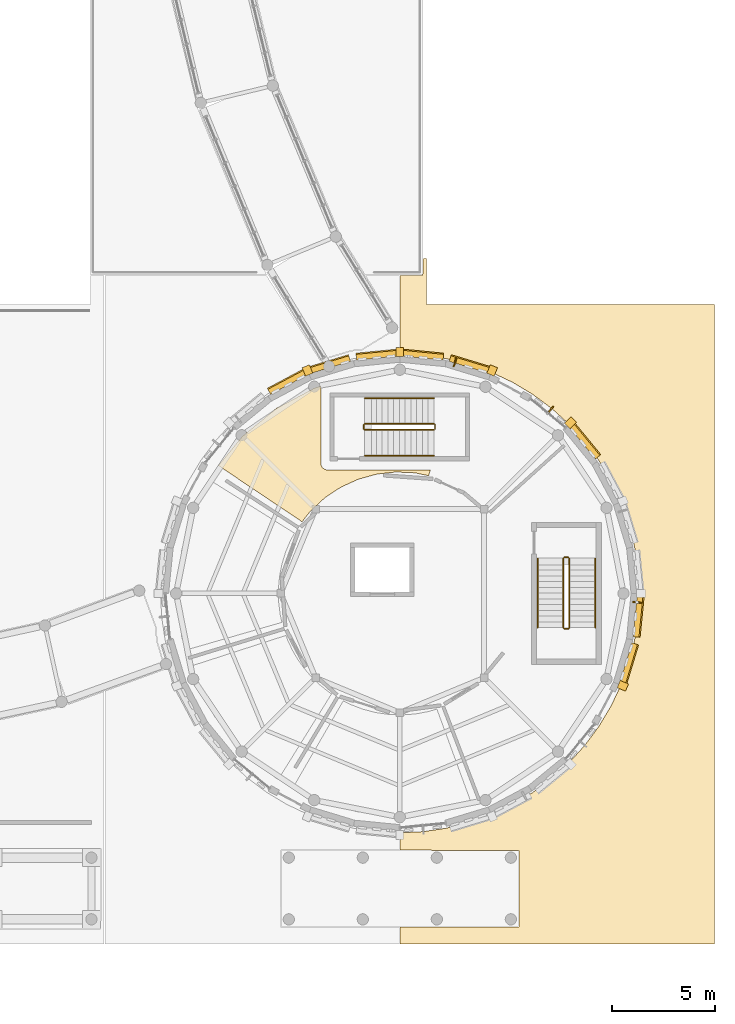
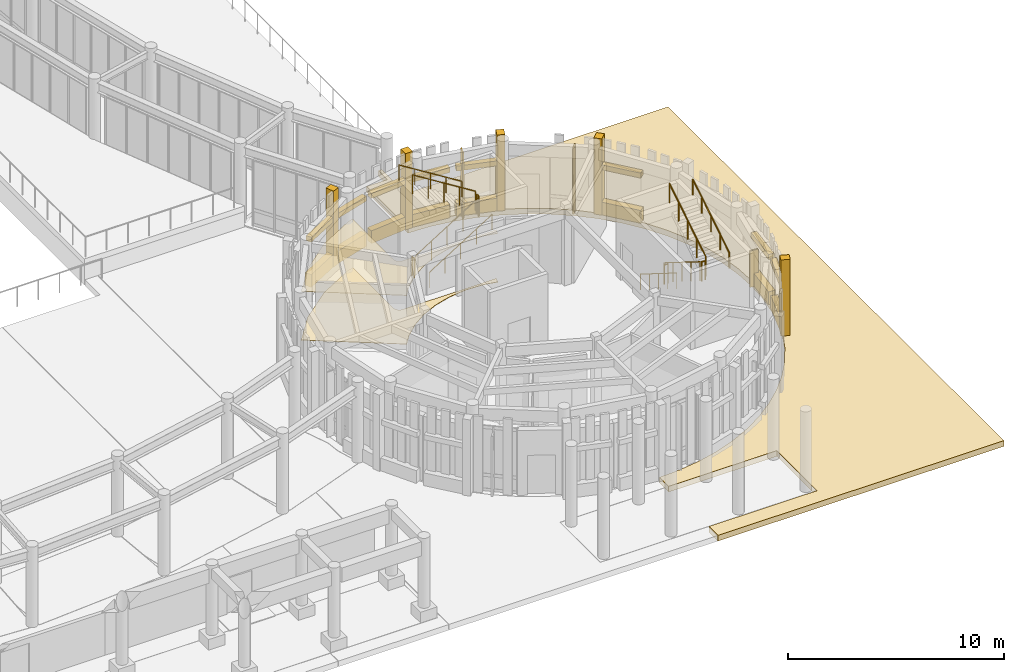
# One storey, part 88 of 94: 24 coverings, 12 railings, 3 shading devices.
"""IFC4 building model written with IfcOpenShell, lengths in metres."""

from ifc_helpers import new_model, si_unit, direction, frame, origin, origin_2d, place, context, subcontext, project, spatial, polyline, rectangle, circle, outline, extrude, material, layer, layer_set, type_object, element, save


model = new_model("IFC4")

# Units and contexts
model_context = context("Model", 3, precision=1e-05, world=origin(), true_north=direction((0.0, 1.0)))
body_context = subcontext(model_context, "Body", "Model", "MODEL_VIEW")
ifc_project = project(units=[si_unit("LENGTHUNIT", "METRE"), si_unit("AREAUNIT", "SQUARE_METRE"), si_unit("VOLUMEUNIT", "CUBIC_METRE"), si_unit("PLANEANGLEUNIT", "RADIAN"), si_unit("MASSUNIT", "GRAM", prefix="KILO")], contexts=[model_context])

# Site, building, storey
site_placement = place(None, origin())
site = spatial("IfcSite", under=ifc_project, at=site_placement, CompositionType="ELEMENT")
building_placement = place(site_placement, origin())
building = spatial("IfcBuilding", under=site, at=building_placement, Name="Aldenvaro Health Centre", CompositionType="ELEMENT")
storey_placement = place(building_placement, origin())
storey = spatial("IfcBuildingStorey", under=building, at=storey_placement, Name="L00", CompositionType="ELEMENT", Elevation=0.0)

# Coverings
ifc_material_1 = material(Name="Hygienic Sealed Gypsum Ceiling")
ifc_layer_1 = layer(ifc_material_1, 0.02490234375, Name="Hygienic Sealed Gypsum Ceiling")
ifc_layer_set_1 = layer_set([ifc_layer_1], Name="Hygienic Sealed Gypsum Ceiling")
covering_type_1 = type_object("IfcCoveringType", Name="COV-CLG-GYP25", PredefinedType="CEILING", material=ifc_layer_set_1)
covering_1_placement = place(storey_placement, frame((0.0, 0.0, 2.75)))
element("IfcCovering", 1, at=covering_1_placement, inside=storey, type_object=covering_type_1, Name="D6-L00-R01 Suspended Ceiling", PredefinedType="CEILING", context=body_context, shape_type="SweptSolid", body=[
    extrude(outline(polyline([(155.2470703125, 24.362060546875), (155.22802734375, 24.364990234375), (155.208984375, 24.366943359375), (154.318115234375, 24.406005859375), (154.299072265625, 24.406982421875), (154.280029296875, 24.405029296875), (153.39404296875, 24.304931640625), (153.375, 24.302001953125), (153.35595703125, 24.298095703125), (152.4970703125, 24.05908203125), (152.47900390625, 24.053955078125), (152.4609375, 24.0458984375), (151.64892578125, 23.676025390625), (151.633056640625, 23.66796875), (151.615966796875, 23.657958984375), (150.873046875, 23.1650390625), (150.85693359375, 23.154052734375), (150.843017578125, 23.14208984375), (150.18603515625, 22.5380859375), (150.172119140625, 22.52490234375), (150.159912109375, 22.510986328125), (149.743896484375, 21.985107421875), (145.676025390625, 24.718994140625), (146.85009765625, 26.14990234375), (148.489990234375, 27.49609375), (150.360107421875, 28.4951171875), (150.659912109375, 28.5859375), (150.659912109375, 24.830078125), (150.659912109375, 24.818115234375), (150.660888671875, 24.81005859375), (150.6630859375, 24.787109375), (150.6640625, 24.779052734375), (150.6689453125, 24.756103515625), (150.6708984375, 24.748046875), (150.677001953125, 24.72607421875), (150.679931640625, 24.718994140625), (150.68896484375, 24.697021484375), (150.69189453125, 24.68994140625), (150.7041015625, 24.6689453125), (150.7080078125, 24.662109375), (150.720947265625, 24.64306640625), (150.72509765625, 24.635986328125), (150.739990234375, 24.617919921875), (150.74609375, 24.612060546875), (150.761962890625, 24.595947265625), (150.76806640625, 24.590087890625), (150.785888671875, 24.574951171875), (150.79296875, 24.571044921875), (150.81201171875, 24.55810546875), (150.819091796875, 24.553955078125), (150.840087890625, 24.5419921875), (150.846923828125, 24.5390625), (150.868896484375, 24.530029296875), (150.8759765625, 24.527099609375), (150.89794921875, 24.52099609375), (150.906005859375, 24.51904296875), (150.928955078125, 24.513916015625), (150.93701171875, 24.512939453125), (150.9599609375, 24.510986328125), (150.968017578125, 24.510009765625), (150.97998046875, 24.510009765625), (155.985107421875, 24.510009765625), (155.903076171875, 24.22705078125), (155.2470703125, 24.362060546875)])), origin(), (0.0, 0.0, 1.0), 0.02490234375),
])
ifc_material_2 = material(Name="Honed Sonoran Buff Limestone", Category="masonry")
ifc_layer_2 = layer(ifc_material_2, 0.280029296875, Name="Honed Sonoran Buff Limestone", Category="masonry")
ifc_layer_set_2 = layer_set([ifc_layer_2], Name="Honed Sonoran Buff Limestone")
covering_type_2 = type_object("IfcCoveringType", Name="COV-CRN-STN", PredefinedType="CLADDING", material=ifc_layer_set_2)
covering_2_placement = place(storey_placement, frame((166.114013671875, 17.35595703125, 0.0), z_axis=(0.0, 0.0, 1.0), x_axis=(-0.097997250052, -0.995186685493, 0.0)))
element("IfcCovering", 2, at=covering_2_placement, inside=storey, type_object=covering_type_2, Name="D6 L00 Rusticated Limestone Plinth 1.1", PredefinedType="CLADDING", context=body_context, shape_type="SweptSolid", body=[
    extrude(rectangle(XDim=1.955078125, YDim=0.340087890625, at=origin_2d()), origin(), (0.0, 0.0, 1.0), 0.719970703125),
])
covering_3_placement = place(storey_placement, frame((166.083984375, 17.35888671875, 2.5498046875), z_axis=(0.0, 0.0, 1.0), x_axis=(-0.097997250052, -0.995186685493, 0.0)))
element("IfcCovering", 3, at=covering_3_placement, inside=storey, type_object=covering_type_2, Name="D6 L00 Rusticated Limestone Plinth 1.2", PredefinedType="CLADDING", context=body_context, shape_type="SweptSolid", body=[
    extrude(rectangle(XDim=1.955078125, YDim=0.280029296875, at=origin_2d()), origin(), (0.0, 0.0, 1.0), 0.280029296875),
])
covering_4_placement = place(storey_placement, frame((165.6669921875, 15.112060546875, 0.0), z_axis=(0.0, 0.0, 1.0), x_axis=(-0.290342622208, -0.956922756407, 0.0)))
element("IfcCovering", 4, at=covering_4_placement, inside=storey, type_object=covering_type_2, Name="D6 L00 Rusticated Limestone Plinth 2.1", PredefinedType="CLADDING", context=body_context, shape_type="SweptSolid", body=[
    extrude(rectangle(XDim=1.955078125, YDim=0.340087890625, at=origin_2d()), origin(), (0.0, 0.0, 1.0), 0.719970703125),
])
covering_5_placement = place(storey_placement, frame((165.638916015625, 15.12109375, 2.5498046875), z_axis=(0.0, 0.0, 1.0), x_axis=(-0.290342622208, -0.956922756407, 0.0)))
element("IfcCovering", 5, at=covering_5_placement, inside=storey, type_object=covering_type_2, Name="D6 L00 Rusticated Limestone Plinth 2.2", PredefinedType="CLADDING", context=body_context, shape_type="SweptSolid", body=[
    extrude(rectangle(XDim=1.955078125, YDim=0.280029296875, at=origin_2d()), origin(), (0.0, 0.0, 1.0), 0.280029296875),
])
covering_6_placement = place(storey_placement, frame((165.345947265625, 14.007080078125, -0.00048828125), z_axis=(0.0, 0.0, 1.0), x_axis=(0.923863939312, -0.38272107551, 0.0)))
element("IfcCovering", 6, at=covering_6_placement, inside=storey, type_object=covering_type_2, Name="D6 L00 Engaged Classical Limestone Pilaster 02", PredefinedType="CLADDING", context=body_context, shape_type="SweptSolid", body=[
    extrude(rectangle(XDim=0.43994140625, YDim=0.3798828125, at=origin_2d()), origin(), (0.0, 0.0, 1.0), 4.304931640625),
])
covering_7_placement = place(storey_placement, frame((148.998046875, 28.7919921875, 0.0), z_axis=(0.0, 0.0, 1.0), x_axis=(0.882018256263, 0.471215232797, 0.0)))
element("IfcCovering", 7, at=covering_7_placement, inside=storey, type_object=covering_type_2, Name="D6 L00 Rusticated Limestone Plinth 22.1", PredefinedType="CLADDING", context=body_context, shape_type="SweptSolid", body=[
    extrude(rectangle(XDim=1.955078125, YDim=0.340087890625, at=origin_2d()), origin(), (0.0, 0.0, 1.0), 0.719970703125),
])
covering_8_placement = place(storey_placement, frame((149.011962890625, 28.76611328125, 2.5498046875), z_axis=(0.0, 0.0, 1.0), x_axis=(0.882018256263, 0.471215232797, 0.0)))
element("IfcCovering", 8, at=covering_8_placement, inside=storey, type_object=covering_type_2, Name="D6 L00 Rusticated Limestone Plinth 22.2", PredefinedType="CLADDING", context=body_context, shape_type="SweptSolid", body=[
    extrude(rectangle(XDim=1.955078125, YDim=0.280029296875, at=origin_2d()), origin(), (0.0, 0.0, 1.0), 0.280029296875),
])
covering_9_placement = place(storey_placement, frame((151.112060546875, 29.6669921875, 0.0), z_axis=(0.0, 0.0, 1.0), x_axis=(0.956922756407, 0.290342622208, 0.0)))
element("IfcCovering", 9, at=covering_9_placement, inside=storey, type_object=covering_type_2, Name="D6 L00 Rusticated Limestone Plinth 23.1", PredefinedType="CLADDING", context=body_context, shape_type="SweptSolid", body=[
    extrude(rectangle(XDim=1.955078125, YDim=0.340087890625, at=origin_2d()), origin(), (0.0, 0.0, 1.0), 0.719970703125),
])
covering_10_placement = place(storey_placement, frame((151.12109375, 29.638916015625, 2.5498046875), z_axis=(0.0, 0.0, 1.0), x_axis=(0.956922756407, 0.290342622208, 0.0)))
element("IfcCovering", 10, at=covering_10_placement, inside=storey, type_object=covering_type_2, Name="D6 L00 Rusticated Limestone Plinth 23.2", PredefinedType="CLADDING", context=body_context, shape_type="SweptSolid", body=[
    extrude(rectangle(XDim=1.955078125, YDim=0.280029296875, at=origin_2d()), origin(), (0.0, 0.0, 1.0), 0.280029296875),
])
covering_11_placement = place(storey_placement, frame((150.007080078125, 29.345947265625, -0.00048828125), z_axis=(0.0, 0.0, 1.0), x_axis=(-0.38272107551, 0.923863939312, 0.0)))
element("IfcCovering", 11, at=covering_11_placement, inside=storey, type_object=covering_type_2, Name="D6 L00 Engaged Classical Limestone Pilaster 12", PredefinedType="CLADDING", context=body_context, shape_type="SweptSolid", body=[
    extrude(rectangle(XDim=0.43994140625, YDim=0.3798828125, at=origin_2d()), origin(), (0.0, 0.0, 1.0), 4.304931640625),
])
covering_12_placement = place(storey_placement, frame((153.35595703125, 30.114013671875, 0.0), z_axis=(0.0, 0.0, 1.0), x_axis=(0.995186685493, 0.097997250052, 0.0)))
element("IfcCovering", 12, at=covering_12_placement, inside=storey, type_object=covering_type_2, Name="D6 L00 Rusticated Limestone Plinth 24.1", PredefinedType="CLADDING", context=body_context, shape_type="SweptSolid", body=[
    extrude(rectangle(XDim=1.955078125, YDim=0.340087890625, at=origin_2d()), origin(), (0.0, 0.0, 1.0), 0.719970703125),
])
covering_13_placement = place(storey_placement, frame((153.35888671875, 30.083984375, 2.5498046875), z_axis=(0.0, 0.0, 1.0), x_axis=(0.995186685493, 0.097997250052, 0.0)))
element("IfcCovering", 13, at=covering_13_placement, inside=storey, type_object=covering_type_2, Name="D6 L00 Rusticated Limestone Plinth 24.2", PredefinedType="CLADDING", context=body_context, shape_type="SweptSolid", body=[
    extrude(rectangle(XDim=1.955078125, YDim=0.280029296875, at=origin_2d()), origin(), (0.0, 0.0, 1.0), 0.280029296875),
])
covering_14_placement = place(storey_placement, frame((155.64404296875, 30.114013671875, 0.0), z_axis=(0.0, 0.0, 1.0), x_axis=(0.995186685493, -0.097997250052, 0.0)))
element("IfcCovering", 14, at=covering_14_placement, inside=storey, type_object=covering_type_2, Name="D6 L00 Rusticated Limestone Plinth 25.1", PredefinedType="CLADDING", context=body_context, shape_type="SweptSolid", body=[
    extrude(rectangle(XDim=1.955078125, YDim=0.340087890625, at=origin_2d()), origin(), (0.0, 0.0, 1.0), 0.719970703125),
])
covering_15_placement = place(storey_placement, frame((155.64111328125, 30.083984375, 2.5498046875), z_axis=(0.0, 0.0, 1.0), x_axis=(0.995186685493, -0.097997250052, 0.0)))
element("IfcCovering", 15, at=covering_15_placement, inside=storey, type_object=covering_type_2, Name="D6 L00 Rusticated Limestone Plinth 25.2", PredefinedType="CLADDING", context=body_context, shape_type="SweptSolid", body=[
    extrude(rectangle(XDim=1.955078125, YDim=0.280029296875, at=origin_2d()), origin(), (0.0, 0.0, 1.0), 0.280029296875),
])
covering_16_placement = place(storey_placement, frame((154.5, 30.239990234375, -0.00048828125), z_axis=(0.0, 0.0, 1.0), x_axis=(0.0, 1.0, 0.0)))
element("IfcCovering", 16, at=covering_16_placement, inside=storey, type_object=covering_type_2, Name="D6 L00 Engaged Classical Limestone Pilaster 13", PredefinedType="CLADDING", context=body_context, shape_type="SweptSolid", body=[
    extrude(rectangle(XDim=0.43994140625, YDim=0.3798828125, at=origin_2d()), origin(), (0.0, 0.0, 1.0), 4.304931640625),
])
covering_17_placement = place(storey_placement, frame((157.887939453125, 29.6669921875, 0.0), z_axis=(0.0, 0.0, 1.0), x_axis=(0.956922756407, -0.290342622208, 0.0)))
element("IfcCovering", 17, at=covering_17_placement, inside=storey, type_object=covering_type_2, Name="D6 L00 Rusticated Limestone Plinth 26.1", PredefinedType="CLADDING", context=body_context, shape_type="SweptSolid", body=[
    extrude(rectangle(XDim=1.955078125, YDim=0.340087890625, at=origin_2d()), origin(), (0.0, 0.0, 1.0), 0.719970703125),
])
covering_18_placement = place(storey_placement, frame((157.87890625, 29.638916015625, 2.5498046875), z_axis=(0.0, 0.0, 1.0), x_axis=(0.956922756407, -0.290342622208, 0.0)))
element("IfcCovering", 18, at=covering_18_placement, inside=storey, type_object=covering_type_2, Name="D6 L00 Rusticated Limestone Plinth 26.2", PredefinedType="CLADDING", context=body_context, shape_type="SweptSolid", body=[
    extrude(rectangle(XDim=1.955078125, YDim=0.280029296875, at=origin_2d()), origin(), (0.0, 0.0, 1.0), 0.280029296875),
])
covering_19_placement = place(storey_placement, frame((158.992919921875, 29.345947265625, -0.00048828125), z_axis=(0.0, 0.0, 1.0), x_axis=(0.38272107551, 0.923863939312, 0.0)))
element("IfcCovering", 19, at=covering_19_placement, inside=storey, type_object=covering_type_2, Name="D6 L00 Engaged Classical Limestone Pilaster 14", PredefinedType="CLADDING", context=body_context, shape_type="SweptSolid", body=[
    extrude(rectangle(XDim=0.43994140625, YDim=0.3798828125, at=origin_2d()), origin(), (0.0, 0.0, 1.0), 4.304931640625),
])
covering_20_placement = place(storey_placement, frame((163.52099609375, 25.904052734375, 0.0), z_axis=(0.0, 0.0, 1.0), x_axis=(0.634577172169, -0.772859503767, 0.0)))
element("IfcCovering", 20, at=covering_20_placement, inside=storey, type_object=covering_type_2, Name="D6 L00 Rusticated Limestone Plinth 29.1", PredefinedType="CLADDING", context=body_context, shape_type="SweptSolid", body=[
    extrude(rectangle(XDim=1.955078125, YDim=0.340087890625, at=origin_2d()), origin(), (0.0, 0.0, 1.0), 0.719970703125),
])
covering_21_placement = place(storey_placement, frame((163.498046875, 25.885009765625, 2.5498046875), z_axis=(0.0, 0.0, 1.0), x_axis=(0.634577172169, -0.772859503767, 0.0)))
element("IfcCovering", 21, at=covering_21_placement, inside=storey, type_object=covering_type_2, Name="D6 L00 Rusticated Limestone Plinth 29.2", PredefinedType="CLADDING", context=body_context, shape_type="SweptSolid", body=[
    extrude(rectangle(XDim=1.955078125, YDim=0.280029296875, at=origin_2d()), origin(), (0.0, 0.0, 1.0), 0.280029296875),
])
covering_22_placement = place(storey_placement, frame((162.801025390625, 26.801025390625, -0.00048828125), z_axis=(0.0, 0.0, 1.0), x_axis=(0.707106781187, 0.707106781187, 0.0)))
element("IfcCovering", 22, at=covering_22_placement, inside=storey, type_object=covering_type_2, Name="D6 L00 Engaged Classical Limestone Pilaster 15", PredefinedType="CLADDING", context=body_context, shape_type="SweptSolid", body=[
    extrude(rectangle(XDim=0.43994140625, YDim=0.3798828125, at=origin_2d()), origin(), (0.0, 0.0, 1.0), 4.304931640625),
])
ifc_material_3 = material(Name="Polished Epoxy Terrazzo Flooring")
ifc_layer_3 = layer(ifc_material_3, 0.02197265625, Name="Polished Epoxy Terrazzo Flooring")
ifc_layer_set_3 = layer_set([ifc_layer_3], Name="Polished Epoxy Terrazzo Flooring")
covering_type_3 = type_object("IfcCoveringType", Name="COV-FLR-TER22", PredefinedType="FLOORING", material=ifc_layer_set_3)
covering_23_placement = place(storey_placement, origin())
element("IfcCovering", 23, at=covering_23_placement, inside=storey, type_object=covering_type_3, Name="D6-L00-R01 Flooring", PredefinedType="FLOORING", context=body_context, shape_type="SweptSolid", body=[
    extrude(outline(polyline([(155.2470703125, 24.362060546875), (155.22802734375, 24.364990234375), (155.208984375, 24.366943359375), (154.318115234375, 24.406005859375), (154.299072265625, 24.406982421875), (154.280029296875, 24.405029296875), (153.39404296875, 24.304931640625), (153.375, 24.302001953125), (153.35595703125, 24.298095703125), (152.4970703125, 24.05908203125), (152.47900390625, 24.053955078125), (152.4609375, 24.0458984375), (151.64892578125, 23.676025390625), (151.633056640625, 23.66796875), (151.615966796875, 23.657958984375), (150.873046875, 23.1650390625), (150.85693359375, 23.154052734375), (150.843017578125, 23.14208984375), (150.18603515625, 22.5380859375), (150.172119140625, 22.52490234375), (150.159912109375, 22.510986328125), (149.743896484375, 21.985107421875), (145.676025390625, 24.718994140625), (146.85009765625, 26.14990234375), (148.489990234375, 27.49609375), (150.360107421875, 28.4951171875), (150.659912109375, 28.5859375), (150.659912109375, 24.830078125), (150.659912109375, 24.818115234375), (150.660888671875, 24.81005859375), (150.6630859375, 24.787109375), (150.6640625, 24.779052734375), (150.6689453125, 24.756103515625), (150.6708984375, 24.748046875), (150.677001953125, 24.72607421875), (150.679931640625, 24.718994140625), (150.68896484375, 24.697021484375), (150.69189453125, 24.68994140625), (150.7041015625, 24.6689453125), (150.7080078125, 24.662109375), (150.720947265625, 24.64306640625), (150.72509765625, 24.635986328125), (150.739990234375, 24.617919921875), (150.74609375, 24.612060546875), (150.761962890625, 24.595947265625), (150.76806640625, 24.590087890625), (150.785888671875, 24.574951171875), (150.79296875, 24.571044921875), (150.81201171875, 24.55810546875), (150.819091796875, 24.553955078125), (150.840087890625, 24.5419921875), (150.846923828125, 24.5390625), (150.868896484375, 24.530029296875), (150.8759765625, 24.527099609375), (150.89794921875, 24.52099609375), (150.906005859375, 24.51904296875), (150.928955078125, 24.513916015625), (150.93701171875, 24.512939453125), (150.9599609375, 24.510986328125), (150.968017578125, 24.510009765625), (150.97998046875, 24.510009765625), (155.985107421875, 24.510009765625), (155.903076171875, 24.22705078125), (155.2470703125, 24.362060546875)])), origin(), (0.0, 0.0, 1.0), 0.02197265625),
])
ifc_material_4 = material(Name="Honed Sonoran Buff Travertine", Category="masonry")
ifc_layer_4 = layer(ifc_material_4, 0.320068359375, Name="Honed Sonoran Buff Travertine", Category="masonry")
ifc_layer_set_4 = layer_set([ifc_layer_4], Name="Honed Sonoran Buff Travertine")
covering_type_4 = type_object("IfcCoveringType", Name="COV-POD-320", PredefinedType="FLOORING", material=ifc_layer_set_4)
covering_24_placement = place(storey_placement, frame((0.0, 0.0, -0.320068359375)))
element("IfcCovering", 24, at=covering_24_placement, inside=storey, type_object=covering_type_4, Name="South Street Entrance Stylobate Forecourt Section 15", PredefinedType="FLOORING", context=body_context, shape_type="SweptSolid", body=[
    extrude(outline(polyline([(155.612060546875, 33.9619140625), (155.639892578125, 34.800048828125), (155.800048828125, 34.800048828125), (155.800048828125, 32.550048828125), (169.800048828125, 32.550048828125), (169.800048828125, 1.449951171875), (154.514892578125, 1.449951171875), (154.514892578125, 2.282958984375), (160.285888671875, 2.281005859375), (160.299072265625, 6.006103515625), (154.514892578125, 6.011962890625), (154.514892578125, 6.861083984375), (155.64111328125, 6.916015625), (156.77099609375, 7.083984375), (157.87890625, 7.361083984375), (158.9541015625, 7.74609375), (159.987060546875, 8.23388671875), (160.967041015625, 8.822021484375), (161.884033203125, 9.501953125), (162.73095703125, 10.26904296875), (163.498046875, 11.115966796875), (164.177978515625, 12.032958984375), (164.76611328125, 13.012939453125), (165.25390625, 14.0458984375), (165.638916015625, 15.12109375), (165.916015625, 16.22900390625), (166.083984375, 17.35888671875), (166.139892578125, 18.5), (166.083984375, 19.64111328125), (165.916015625, 20.77099609375), (165.638916015625, 21.87890625), (165.25390625, 22.9541015625), (164.76611328125, 23.987060546875), (164.177978515625, 24.967041015625), (163.498046875, 25.884033203125), (162.73095703125, 26.73095703125), (161.884033203125, 27.498046875), (160.967041015625, 28.177978515625), (159.987060546875, 28.76611328125), (158.9541015625, 29.25390625), (157.87890625, 29.638916015625), (156.77099609375, 29.916015625), (155.64111328125, 30.083984375), (154.514892578125, 30.138916015625), (154.514892578125, 33.9609375), (155.612060546875, 33.9619140625)])), origin(), (0.0, 0.0, 1.0), 0.320068359375),
])

# Railings
ifc_material_5 = material(Name="Painted Architectural Steel", Category="steel")
railing_type_1 = type_object("IfcRailingType", Name="RL-BAL-INT", PredefinedType="BALUSTRADE", material=ifc_material_5)
railing_1_placement = place(storey_placement, frame((162.449951171875, 20.199951171875, 0.175048828125)))
element("IfcRailing", 25, at=railing_1_placement, inside=storey, type_object=railing_type_1, Name="L00 ST-11 stair guard 1", PredefinedType="BALUSTRADE", context=body_context, shape_type="SweptSolid", body=[
    extrude(circle(Radius=0.02392578125, at=origin_2d()), frame((0.0, 0.0, 1.076171875), z_axis=(0.0, -0.848005227453, 0.529987862325), x_axis=(1.0, 0.0, 0.0)), (0.0, 0.0, 1.0), 3.962158203125),
    extrude(circle(Radius=0.02099609375, at=origin_2d()), origin(), (0.0, 0.0, 1.0), 1.052001953125),
    extrude(circle(Radius=0.02099609375, at=origin_2d()), frame((0.0, -0.83984375, 0.52490234375)), (0.0, 0.0, 1.0), 1.052001953125),
    extrude(circle(Radius=0.02099609375, at=origin_2d()), frame((0.0, -1.679931640625, 1.0498046875)), (0.0, 0.0, 1.0), 1.052001953125),
    extrude(circle(Radius=0.02099609375, at=origin_2d()), frame((0.0, -2.52001953125, 1.574951171875)), (0.0, 0.0, 1.0), 1.052001953125),
    extrude(circle(Radius=0.02099609375, at=origin_2d()), frame((0.0, -3.35986328125, 2.099853515625)), (0.0, 0.0, 1.0), 1.052001953125),
])
railing_2_placement = place(storey_placement, frame((162.5, 16.7900390625, 2.27490234375)))
element("IfcRailing", 26, at=railing_2_placement, inside=storey, type_object=railing_type_1, Name="L00 ST-11 stair guard 2", PredefinedType="BALUSTRADE", context=body_context, shape_type="SweptSolid", body=[
    extrude(circle(Radius=0.02392578125, at=origin_2d()), frame((0.0, 0.0, 1.076171875), z_axis=(1.0, 0.0, 0.0), x_axis=(0.0, 1.0, 0.0)), (0.0, 0.0, 1.0), 0.199951171875),
    extrude(circle(Radius=0.02099609375, at=origin_2d()), origin(), (0.0, 0.0, 1.0), 1.052001953125),
    extrude(circle(Radius=0.02099609375, at=origin_2d()), frame((0.199951171875, 0.0, 0.0)), (0.0, 0.0, 1.0), 1.052001953125),
])
railing_3_placement = place(storey_placement, frame((162.75, 16.840087890625, 2.449951171875)))
element("IfcRailing", 27, at=railing_3_placement, inside=storey, type_object=railing_type_1, Name="L00 ST-11 stair guard 3", PredefinedType="BALUSTRADE", context=body_context, shape_type="SweptSolid", body=[
    extrude(circle(Radius=0.02392578125, at=origin_2d()), frame((0.0, 0.0, 1.076171875), z_axis=(0.0, 0.847977533471, 0.530032171408), x_axis=(-1.0, 0.0, 0.0)), (0.0, 0.0, 1.0), 3.962158203125),
    extrude(circle(Radius=0.02099609375, at=origin_2d()), origin(), (0.0, 0.0, 1.0), 1.052001953125),
    extrude(circle(Radius=0.02099609375, at=origin_2d()), frame((0.0, 0.83984375, 0.52490234375)), (0.0, 0.0, 1.0), 1.052001953125),
    extrude(circle(Radius=0.02099609375, at=origin_2d()), frame((0.0, 1.679931640625, 1.050048828125)), (0.0, 0.0, 1.0), 1.052001953125),
    extrude(circle(Radius=0.02099609375, at=origin_2d()), frame((0.0, 2.52001953125, 1.5751953125)), (0.0, 0.0, 1.0), 1.052001953125),
    extrude(circle(Radius=0.02099609375, at=origin_2d()), frame((0.0, 3.35986328125, 2.10009765625)), (0.0, 0.0, 1.0), 1.052001953125),
])
railing_4_placement = place(storey_placement, frame((162.5, 20.25, 0.0)))
element("IfcRailing", 28, at=railing_4_placement, inside=storey, type_object=railing_type_1, Name="L00 ST-11 stair guard 4", PredefinedType="BALUSTRADE", context=body_context, shape_type="SweptSolid", body=[
    extrude(circle(Radius=0.02392578125, at=origin_2d()), frame((0.0, 0.0, 1.076171875), z_axis=(1.0, 0.0, 0.0), x_axis=(0.0, 1.0, 0.0)), (0.0, 0.0, 1.0), 0.199951171875),
    extrude(circle(Radius=0.02099609375, at=origin_2d()), origin(), (0.0, 0.0, 1.0), 1.052001953125),
    extrude(circle(Radius=0.02099609375, at=origin_2d()), frame((0.199951171875, 0.0, 0.0)), (0.0, 0.0, 1.0), 1.052001953125),
])
railing_5_placement = place(storey_placement, frame((152.800048828125, 26.449951171875, 0.175048828125)))
element("IfcRailing", 29, at=railing_5_placement, inside=storey, type_object=railing_type_1, Name="L00 ST-12 stair guard 1", PredefinedType="BALUSTRADE", context=body_context, shape_type="SweptSolid", body=[
    extrude(circle(Radius=0.02392578125, at=origin_2d()), frame((0.0, 0.0, 1.076171875), z_axis=(0.848005227453, 0.0, 0.529987862325), x_axis=(0.0, 1.0, 0.0)), (0.0, 0.0, 1.0), 3.962158203125),
    extrude(circle(Radius=0.02099609375, at=origin_2d()), origin(), (0.0, 0.0, 1.0), 1.052001953125),
    extrude(circle(Radius=0.02099609375, at=origin_2d()), frame((0.83984375, 0.0, 0.52490234375)), (0.0, 0.0, 1.0), 1.052001953125),
    extrude(circle(Radius=0.02099609375, at=origin_2d()), frame((1.679931640625, 0.0, 1.0498046875)), (0.0, 0.0, 1.0), 1.052001953125),
    extrude(circle(Radius=0.02099609375, at=origin_2d()), frame((2.52001953125, 0.0, 1.574951171875)), (0.0, 0.0, 1.0), 1.052001953125),
    extrude(circle(Radius=0.02099609375, at=origin_2d()), frame((3.35986328125, 0.0, 2.099853515625)), (0.0, 0.0, 1.0), 1.052001953125),
])
railing_6_placement = place(storey_placement, frame((156.2099609375, 26.5, 2.27490234375)))
element("IfcRailing", 30, at=railing_6_placement, inside=storey, type_object=railing_type_1, Name="L00 ST-12 stair guard 2", PredefinedType="BALUSTRADE", context=body_context, shape_type="SweptSolid", body=[
    extrude(circle(Radius=0.02392578125, at=origin_2d()), frame((0.0, 0.0, 1.076171875), z_axis=(0.0, 1.0, 0.0), x_axis=(-1.0, 0.0, 0.0)), (0.0, 0.0, 1.0), 0.199951171875),
    extrude(circle(Radius=0.02099609375, at=origin_2d()), origin(), (0.0, 0.0, 1.0), 1.052001953125),
    extrude(circle(Radius=0.02099609375, at=origin_2d()), frame((0.0, 0.199951171875, 0.0)), (0.0, 0.0, 1.0), 1.052001953125),
])
railing_7_placement = place(storey_placement, frame((156.159912109375, 26.75, 2.449951171875)))
element("IfcRailing", 31, at=railing_7_placement, inside=storey, type_object=railing_type_1, Name="L00 ST-12 stair guard 3", PredefinedType="BALUSTRADE", context=body_context, shape_type="SweptSolid", body=[
    extrude(circle(Radius=0.02392578125, at=origin_2d()), frame((0.0, 0.0, 1.076171875), z_axis=(-0.847977533471, 0.0, 0.530032171408), x_axis=(0.0, -1.0, 0.0)), (0.0, 0.0, 1.0), 3.962158203125),
    extrude(circle(Radius=0.02099609375, at=origin_2d()), origin(), (0.0, 0.0, 1.0), 1.052001953125),
    extrude(circle(Radius=0.02099609375, at=origin_2d()), frame((-0.83984375, 0.0, 0.52490234375)), (0.0, 0.0, 1.0), 1.052001953125),
    extrude(circle(Radius=0.02099609375, at=origin_2d()), frame((-1.679931640625, 0.0, 1.050048828125)), (0.0, 0.0, 1.0), 1.052001953125),
    extrude(circle(Radius=0.02099609375, at=origin_2d()), frame((-2.52001953125, 0.0, 1.5751953125)), (0.0, 0.0, 1.0), 1.052001953125),
    extrude(circle(Radius=0.02099609375, at=origin_2d()), frame((-3.35986328125, 0.0, 2.10009765625)), (0.0, 0.0, 1.0), 1.052001953125),
])
railing_8_placement = place(storey_placement, frame((152.75, 26.5, 0.0)))
element("IfcRailing", 32, at=railing_8_placement, inside=storey, type_object=railing_type_1, Name="L00 ST-12 stair guard 4", PredefinedType="BALUSTRADE", context=body_context, shape_type="SweptSolid", body=[
    extrude(circle(Radius=0.02392578125, at=origin_2d()), frame((0.0, 0.0, 1.076171875), z_axis=(0.0, 1.0, 0.0), x_axis=(-1.0, 0.0, 0.0)), (0.0, 0.0, 1.0), 0.199951171875),
    extrude(circle(Radius=0.02099609375, at=origin_2d()), origin(), (0.0, 0.0, 1.0), 1.052001953125),
    extrude(circle(Radius=0.02099609375, at=origin_2d()), frame((0.0, 0.199951171875, 0.0)), (0.0, 0.0, 1.0), 1.052001953125),
])
railing_type_2 = type_object("IfcRailingType", Name="RL-HND-INT", PredefinedType="HANDRAIL", material=ifc_material_5)
railing_9_placement = place(storey_placement, frame((161.199951171875, 20.199951171875, 0.175048828125)))
element("IfcRailing", 33, at=railing_9_placement, inside=storey, type_object=railing_type_2, Name="L00 ST-11 stair handrail 1", PredefinedType="HANDRAIL", context=body_context, shape_type="SweptSolid", body=[
    extrude(circle(Radius=0.02392578125, at=origin_2d()), frame((0.0, 0.0, 0.8759765625), z_axis=(0.0, -0.848005227453, 0.529987862325), x_axis=(1.0, 0.0, 0.0)), (0.0, 0.0, 1.0), 3.962158203125),
    extrude(circle(Radius=0.02099609375, at=origin_2d()), origin(), (0.0, 0.0, 1.0), 0.851806640625),
    extrude(circle(Radius=0.02099609375, at=origin_2d()), frame((0.0, -0.83984375, 0.52490234375)), (0.0, 0.0, 1.0), 0.851806640625),
    extrude(circle(Radius=0.02099609375, at=origin_2d()), frame((0.0, -1.679931640625, 1.0498046875)), (0.0, 0.0, 1.0), 0.851806640625),
    extrude(circle(Radius=0.02099609375, at=origin_2d()), frame((0.0, -2.52001953125, 1.574951171875)), (0.0, 0.0, 1.0), 0.851806640625),
    extrude(circle(Radius=0.02099609375, at=origin_2d()), frame((0.0, -3.35986328125, 2.099853515625)), (0.0, 0.0, 1.0), 0.851806640625),
])
railing_10_placement = place(storey_placement, frame((164.0, 16.840087890625, 2.449951171875)))
element("IfcRailing", 34, at=railing_10_placement, inside=storey, type_object=railing_type_2, Name="L00 ST-11 stair handrail 2", PredefinedType="HANDRAIL", context=body_context, shape_type="SweptSolid", body=[
    extrude(circle(Radius=0.02392578125, at=origin_2d()), frame((0.0, 0.0, 0.8759765625), z_axis=(0.0, 0.847977533471, 0.530032171408), x_axis=(-1.0, 0.0, 0.0)), (0.0, 0.0, 1.0), 3.962158203125),
    extrude(circle(Radius=0.02099609375, at=origin_2d()), origin(), (0.0, 0.0, 1.0), 0.851806640625),
    extrude(circle(Radius=0.02099609375, at=origin_2d()), frame((0.0, 0.83984375, 0.52490234375)), (0.0, 0.0, 1.0), 0.851806640625),
    extrude(circle(Radius=0.02099609375, at=origin_2d()), frame((0.0, 1.679931640625, 1.050048828125)), (0.0, 0.0, 1.0), 0.851806640625),
    extrude(circle(Radius=0.02099609375, at=origin_2d()), frame((0.0, 2.52001953125, 1.5751953125)), (0.0, 0.0, 1.0), 0.851806640625),
    extrude(circle(Radius=0.02099609375, at=origin_2d()), frame((0.0, 3.35986328125, 2.10009765625)), (0.0, 0.0, 1.0), 0.851806640625),
])
railing_11_placement = place(storey_placement, frame((152.800048828125, 25.199951171875, 0.175048828125)))
element("IfcRailing", 35, at=railing_11_placement, inside=storey, type_object=railing_type_2, Name="L00 ST-12 stair handrail 1", PredefinedType="HANDRAIL", context=body_context, shape_type="SweptSolid", body=[
    extrude(circle(Radius=0.02392578125, at=origin_2d()), frame((0.0, 0.0, 0.8759765625), z_axis=(0.848005227453, 0.0, 0.529987862325), x_axis=(0.0, 1.0, 0.0)), (0.0, 0.0, 1.0), 3.962158203125),
    extrude(circle(Radius=0.02099609375, at=origin_2d()), origin(), (0.0, 0.0, 1.0), 0.851806640625),
    extrude(circle(Radius=0.02099609375, at=origin_2d()), frame((0.83984375, 0.0, 0.52490234375)), (0.0, 0.0, 1.0), 0.851806640625),
    extrude(circle(Radius=0.02099609375, at=origin_2d()), frame((1.679931640625, 0.0, 1.0498046875)), (0.0, 0.0, 1.0), 0.851806640625),
    extrude(circle(Radius=0.02099609375, at=origin_2d()), frame((2.52001953125, 0.0, 1.574951171875)), (0.0, 0.0, 1.0), 0.851806640625),
    extrude(circle(Radius=0.02099609375, at=origin_2d()), frame((3.35986328125, 0.0, 2.099853515625)), (0.0, 0.0, 1.0), 0.851806640625),
])
railing_12_placement = place(storey_placement, frame((156.159912109375, 28.0, 2.449951171875)))
element("IfcRailing", 36, at=railing_12_placement, inside=storey, type_object=railing_type_2, Name="L00 ST-12 stair handrail 2", PredefinedType="HANDRAIL", context=body_context, shape_type="SweptSolid", body=[
    extrude(circle(Radius=0.02392578125, at=origin_2d()), frame((0.0, 0.0, 0.8759765625), z_axis=(-0.847977533471, 0.0, 0.530032171408), x_axis=(0.0, -1.0, 0.0)), (0.0, 0.0, 1.0), 3.962158203125),
    extrude(circle(Radius=0.02099609375, at=origin_2d()), origin(), (0.0, 0.0, 1.0), 0.851806640625),
    extrude(circle(Radius=0.02099609375, at=origin_2d()), frame((-0.83984375, 0.0, 0.52490234375)), (0.0, 0.0, 1.0), 0.851806640625),
    extrude(circle(Radius=0.02099609375, at=origin_2d()), frame((-1.679931640625, 0.0, 1.050048828125)), (0.0, 0.0, 1.0), 0.851806640625),
    extrude(circle(Radius=0.02099609375, at=origin_2d()), frame((-2.52001953125, 0.0, 1.5751953125)), (0.0, 0.0, 1.0), 0.851806640625),
    extrude(circle(Radius=0.02099609375, at=origin_2d()), frame((-3.35986328125, 0.0, 2.10009765625)), (0.0, 0.0, 1.0), 0.851806640625),
])

# Shading devices
ifc_material_6 = material(Name="Douglas Fir Exterior Glulam GL28h", Category="wood")
shading_device_type_1 = type_object("IfcShadingDeviceType", Name="SHD-FIN-205", PredefinedType="USERDEFINED", material=ifc_material_6)
shading_device_1_placement = place(storey_placement, frame((166.032958984375, 18.06494140625, -0.02001953125), z_axis=(0.0, 0.0, 1.0), x_axis=(-0.097997250052, -0.995186685493, 0.0)))
element("IfcShadingDevice", 37, at=shading_device_1_placement, inside=storey, type_object=shading_device_type_1, Name="D6 L00 Douglas fir fin 1.1", ObjectType="FIN", PredefinedType="USERDEFINED", context=body_context, shape_type="SweptSolid", body=[
    extrude(rectangle(XDim=0.06494140625, YDim=0.419921875, at=origin_2d()), origin(), (0.0, 0.0, 1.0), 2.050048828125),
])
shading_device_type_2 = type_object("IfcShadingDeviceType", Name="SHD-FIN-400", PredefinedType="USERDEFINED", material=ifc_material_6)
shading_device_2_placement = place(storey_placement, frame((161.8310546875, 27.431884765625, -0.0205078125), z_axis=(0.0, 0.0, 1.0), x_axis=(0.772859503767, -0.634577172169, 0.0)))
element("IfcShadingDevice", 38, at=shading_device_2_placement, inside=storey, type_object=shading_device_type_2, Name="D6 L00 vertical timber fin 28.0", ObjectType="FIN", PredefinedType="USERDEFINED", context=body_context, shape_type="SweptSolid", body=[
    extrude(rectangle(XDim=0.06494140625, YDim=0.419921875, at=origin_2d()), origin(), (0.0, 0.0, 1.0), 3.698974609375),
])
shading_device_type_3 = type_object("IfcShadingDeviceType", Name="SHD-FIN-435", PredefinedType="USERDEFINED", material=ifc_material_6)
shading_device_3_placement = place(storey_placement, frame((157.177001953125, 29.72705078125, -0.0205078125), z_axis=(0.0, 0.0, 1.0), x_axis=(0.956922756407, -0.290342622208, 0.0)))
element("IfcShadingDevice", 39, at=shading_device_3_placement, inside=storey, type_object=shading_device_type_3, Name="D6 L00 Douglas fir fin 26.1", ObjectType="FIN", PredefinedType="USERDEFINED", context=body_context, shape_type="SweptSolid", body=[
    extrude(rectangle(XDim=0.06494140625, YDim=0.419921875, at=origin_2d()), origin(), (0.0, 0.0, 1.0), 3.698974609375),
])

save(model, "model.ifc")
